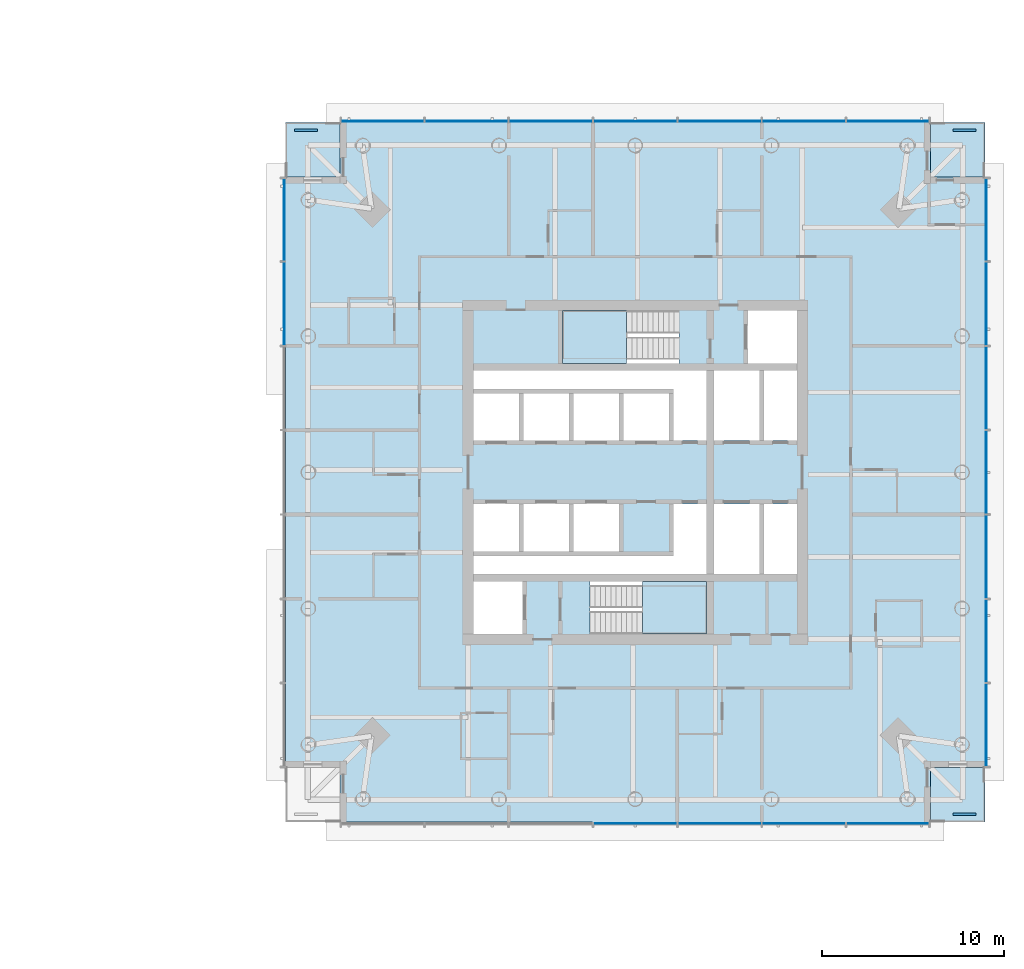
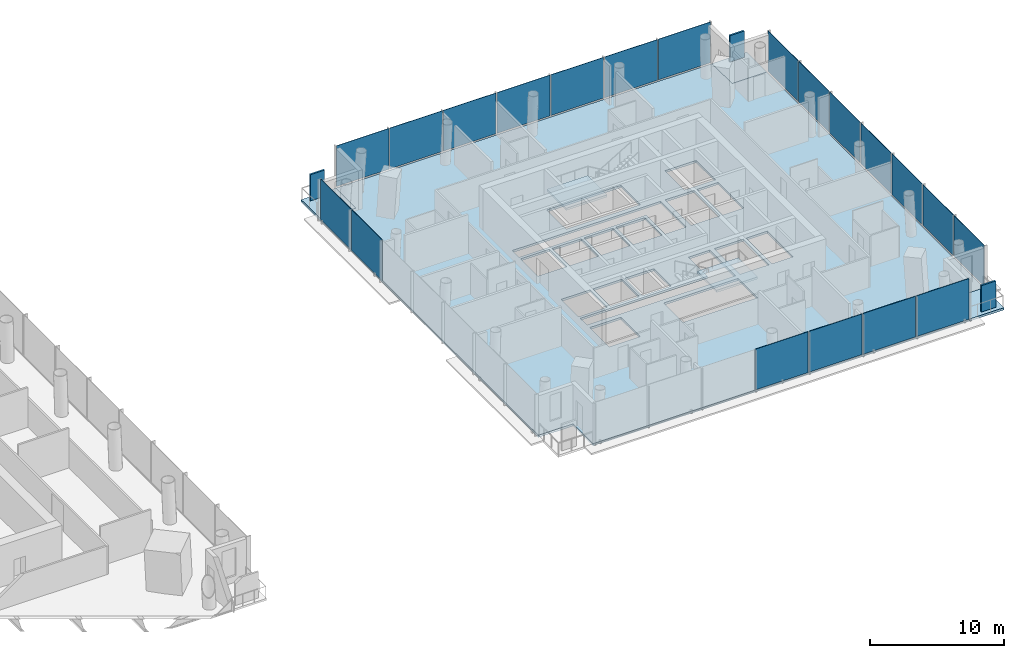
# One storey, part 8 of 21: 23 plates, 6 slabs, 6 elements without a shape of their own.
"""IFC4 building model written with IfcOpenShell, lengths in metres."""

from ifc_helpers import new_model, si_unit, direction, frame, origin, origin_2d, place, context, subcontext, project, spatial, polyline, rectangle, outline, extrude, material, layer, layer_set, type_object, element, aggregate, save


model = new_model("IFC4")

# Units and contexts
model_context = context("Model", 3, precision=1e-05, world=origin(), true_north=direction((0.0, 1.0)))
body_context = subcontext(model_context, "Body", "Model", "MODEL_VIEW")
ifc_project = project(units=[si_unit("LENGTHUNIT", "METRE"), si_unit("AREAUNIT", "SQUARE_METRE"), si_unit("VOLUMEUNIT", "CUBIC_METRE"), si_unit("PLANEANGLEUNIT", "RADIAN"), si_unit("MASSUNIT", "GRAM", prefix="KILO")], contexts=[model_context])

# Site, building, storey
site_placement = place(None, origin())
site = spatial("IfcSite", under=ifc_project, at=site_placement, CompositionType="ELEMENT")
building_placement = place(site_placement, origin())
building = spatial("IfcBuilding", under=site, at=building_placement, Name="Ostroluk Exchange", CompositionType="ELEMENT")
storey_placement = place(building_placement, frame((0.0, 0.0, 43.800048828125)))
storey = spatial("IfcBuildingStorey", under=building, at=storey_placement, Name="L10", CompositionType="ELEMENT", Elevation=43.800048828125)

# Curtain wall, plates
ifc_material_1 = material(Name="Laminated clear glass", Category="glass")
curtain_wall_type = type_object("IfcCurtainWallType", Name="Hotel guest floor facade", PredefinedType="USERDEFINED", material=ifc_material_1)
curtain_wall_1_placement = place(storey_placement, origin())
curtain_wall_1 = element("IfcCurtainWall", 1, at=curtain_wall_1_placement, inside=storey, type_object=curtain_wall_type, Name="Hotel tower south facade L10", ObjectType="UNITISED CURTAIN WALL", PredefinedType="USERDEFINED")
ifc_material_2 = material(Name="Laminated clear glass", Category="glass")
ifc_layer_1 = layer(ifc_material_2, 0.0400390625)
ifc_layer_set_1 = layer_set([ifc_layer_1], Name="Acoustic laminated glazing 40")
plate_type_1 = type_object("IfcPlateType", Name="Acoustic laminated glazing 40", PredefinedType="CURTAIN_PANEL", material=ifc_layer_set_1)
plate_1_placement = place(storey_placement, frame((117.0, 26.675048828125, 0.080078125), z_axis=(0.0, 0.0, 1.0), x_axis=(1.0, 0.0, 0.0)))
plate_1 = element("IfcPlate", 2, at=plate_1_placement, type_object=plate_type_1, Name="CW-H1 panel 4.1", PredefinedType="CURTAIN_PANEL", context=body_context, shape_type="SweptSolid", body=[
    extrude(rectangle(XDim=4.562744140625, YDim=0.0400390625, at=origin_2d()), origin(), (0.0, 0.0, 1.0), 3.719970703125),
])
plate_2_placement = place(storey_placement, frame((121.642822265625, 26.675048828125, 0.080078125), z_axis=(0.0, 0.0, 1.0), x_axis=(1.0, 0.0, 0.0)))
plate_2 = element("IfcPlate", 3, at=plate_2_placement, type_object=plate_type_1, Name="CW-H1 panel 5.1", PredefinedType="CURTAIN_PANEL", context=body_context, shape_type="SweptSolid", body=[
    extrude(rectangle(XDim=4.562744140625, YDim=0.0400390625, at=origin_2d()), origin(), (0.0, 0.0, 1.0), 3.719970703125),
])
plate_3_placement = place(storey_placement, frame((126.28564453125, 26.675048828125, 0.080078125), z_axis=(0.0, 0.0, 1.0), x_axis=(1.0, 0.0, 0.0)))
plate_3 = element("IfcPlate", 4, at=plate_3_placement, type_object=plate_type_1, Name="CW-H1 panel 6.1", PredefinedType="CURTAIN_PANEL", context=body_context, shape_type="SweptSolid", body=[
    extrude(rectangle(XDim=4.562744140625, YDim=0.0400390625, at=origin_2d()), origin(), (0.0, 0.0, 1.0), 3.719970703125),
])
plate_4_placement = place(storey_placement, frame((130.90869140625, 26.675048828125, 0.080078125), z_axis=(0.0, 0.0, 1.0), x_axis=(1.0, 0.0, 0.0)))
plate_4 = element("IfcPlate", 5, at=plate_4_placement, type_object=plate_type_1, Name="CW-H1 panel 7.1", PredefinedType="CURTAIN_PANEL", context=body_context, shape_type="SweptSolid", body=[
    extrude(rectangle(XDim=4.52294921875, YDim=0.0400390625, at=origin_2d()), origin(), (0.0, 0.0, 1.0), 3.719970703125),
])
aggregate(curtain_wall_1, [plate_1, plate_2, plate_3, plate_4])

curtain_wall_2_placement = place(storey_placement, origin())
curtain_wall_2 = element("IfcCurtainWall", 6, at=curtain_wall_2_placement, inside=storey, type_object=curtain_wall_type, Name="Hotel tower east facade L10", ObjectType="UNITISED CURTAIN WALL", PredefinedType="USERDEFINED")
plate_5_placement = place(storey_placement, frame((136.324951171875, 32.09130859375, 0.080078125), z_axis=(0.0, 0.0, 1.0), x_axis=(0.0, 1.0, 0.0)))
plate_5 = element("IfcPlate", 7, at=plate_5_placement, type_object=plate_type_1, Name="CW-H1 panel 1.1", PredefinedType="CURTAIN_PANEL", context=body_context, shape_type="SweptSolid", body=[
    extrude(rectangle(XDim=4.52294921875, YDim=0.0400390625, at=origin_2d()), origin(), (0.0, 0.0, 1.0), 3.719970703125),
])
plate_6_placement = place(storey_placement, frame((136.324951171875, 36.71435546875, 0.080078125), z_axis=(0.0, 0.0, 1.0), x_axis=(0.0, 1.0, 0.0)))
plate_6 = element("IfcPlate", 8, at=plate_6_placement, type_object=plate_type_1, Name="CW-H1 panel 2.1", PredefinedType="CURTAIN_PANEL", context=body_context, shape_type="SweptSolid", body=[
    extrude(rectangle(XDim=4.562744140625, YDim=0.0400390625, at=origin_2d()), origin(), (0.0, 0.0, 1.0), 3.719970703125),
])
plate_7_placement = place(storey_placement, frame((136.324951171875, 41.357177734375, 0.080078125), z_axis=(0.0, 0.0, 1.0), x_axis=(0.0, 1.0, 0.0)))
plate_7 = element("IfcPlate", 9, at=plate_7_placement, type_object=plate_type_1, Name="CW-H1 panel 3.1", PredefinedType="CURTAIN_PANEL", context=body_context, shape_type="SweptSolid", body=[
    extrude(rectangle(XDim=4.562744140625, YDim=0.0400390625, at=origin_2d()), origin(), (0.0, 0.0, 1.0), 3.719970703125),
])
plate_8_placement = place(storey_placement, frame((136.324951171875, 46.0, 0.080078125), z_axis=(0.0, 0.0, 1.0), x_axis=(0.0, 1.0, 0.0)))
plate_8 = element("IfcPlate", 10, at=plate_8_placement, type_object=plate_type_1, Name="CW-H1 panel 4.1", PredefinedType="CURTAIN_PANEL", context=body_context, shape_type="SweptSolid", body=[
    extrude(rectangle(XDim=4.562744140625, YDim=0.0400390625, at=origin_2d()), origin(), (0.0, 0.0, 1.0), 3.719970703125),
])
plate_9_placement = place(storey_placement, frame((136.324951171875, 50.642822265625, 0.080078125), z_axis=(0.0, 0.0, 1.0), x_axis=(0.0, 1.0, 0.0)))
plate_9 = element("IfcPlate", 11, at=plate_9_placement, type_object=plate_type_1, Name="CW-H1 panel 5.1", PredefinedType="CURTAIN_PANEL", context=body_context, shape_type="SweptSolid", body=[
    extrude(rectangle(XDim=4.562744140625, YDim=0.0400390625, at=origin_2d()), origin(), (0.0, 0.0, 1.0), 3.719970703125),
])
plate_10_placement = place(storey_placement, frame((136.324951171875, 55.28564453125, 0.080078125), z_axis=(0.0, 0.0, 1.0), x_axis=(0.0, 1.0, 0.0)))
plate_10 = element("IfcPlate", 12, at=plate_10_placement, type_object=plate_type_1, Name="CW-H1 panel 6.1", PredefinedType="CURTAIN_PANEL", context=body_context, shape_type="SweptSolid", body=[
    extrude(rectangle(XDim=4.562744140625, YDim=0.0400390625, at=origin_2d()), origin(), (0.0, 0.0, 1.0), 3.719970703125),
])
plate_11_placement = place(storey_placement, frame((136.324951171875, 59.90869140625, 0.080078125), z_axis=(0.0, 0.0, 1.0), x_axis=(0.0, 1.0, 0.0)))
plate_11 = element("IfcPlate", 13, at=plate_11_placement, type_object=plate_type_1, Name="CW-H1 panel 7.1", PredefinedType="CURTAIN_PANEL", context=body_context, shape_type="SweptSolid", body=[
    extrude(rectangle(XDim=4.52294921875, YDim=0.0400390625, at=origin_2d()), origin(), (0.0, 0.0, 1.0), 3.719970703125),
])
aggregate(curtain_wall_2, [plate_5, plate_6, plate_7, plate_8, plate_9, plate_10, plate_11])

curtain_wall_3_placement = place(storey_placement, origin())
curtain_wall_3 = element("IfcCurtainWall", 14, at=curtain_wall_3_placement, inside=storey, type_object=curtain_wall_type, Name="Hotel tower north facade L10", ObjectType="UNITISED CURTAIN WALL", PredefinedType="USERDEFINED")
plate_12_placement = place(storey_placement, frame((130.90869140625, 65.324951171875, 0.080078125), z_axis=(0.0, 0.0, 1.0), x_axis=(-1.0, 0.0, 0.0)))
plate_12 = element("IfcPlate", 15, at=plate_12_placement, type_object=plate_type_1, Name="CW-H1 panel 1.1", PredefinedType="CURTAIN_PANEL", context=body_context, shape_type="SweptSolid", body=[
    extrude(rectangle(XDim=4.52294921875, YDim=0.0400390625, at=origin_2d()), origin(), (0.0, 0.0, 1.0), 3.719970703125),
])
plate_13_placement = place(storey_placement, frame((126.28564453125, 65.324951171875, 0.080078125), z_axis=(0.0, 0.0, 1.0), x_axis=(-1.0, 0.0, 0.0)))
plate_13 = element("IfcPlate", 16, at=plate_13_placement, type_object=plate_type_1, Name="CW-H1 panel 2.1", PredefinedType="CURTAIN_PANEL", context=body_context, shape_type="SweptSolid", body=[
    extrude(rectangle(XDim=4.562744140625, YDim=0.0400390625, at=origin_2d()), origin(), (0.0, 0.0, 1.0), 3.719970703125),
])
plate_14_placement = place(storey_placement, frame((121.642822265625, 65.324951171875, 0.080078125), z_axis=(0.0, 0.0, 1.0), x_axis=(-1.0, 0.0, 0.0)))
plate_14 = element("IfcPlate", 17, at=plate_14_placement, type_object=plate_type_1, Name="CW-H1 panel 3.1", PredefinedType="CURTAIN_PANEL", context=body_context, shape_type="SweptSolid", body=[
    extrude(rectangle(XDim=4.562744140625, YDim=0.0400390625, at=origin_2d()), origin(), (0.0, 0.0, 1.0), 3.719970703125),
])
plate_15_placement = place(storey_placement, frame((117.0, 65.324951171875, 0.080078125), z_axis=(0.0, 0.0, 1.0), x_axis=(-1.0, 0.0, 0.0)))
plate_15 = element("IfcPlate", 18, at=plate_15_placement, type_object=plate_type_1, Name="CW-H1 panel 4.1", PredefinedType="CURTAIN_PANEL", context=body_context, shape_type="SweptSolid", body=[
    extrude(rectangle(XDim=4.562744140625, YDim=0.0400390625, at=origin_2d()), origin(), (0.0, 0.0, 1.0), 3.719970703125),
])
plate_16_placement = place(storey_placement, frame((112.357177734375, 65.324951171875, 0.080078125), z_axis=(0.0, 0.0, 1.0), x_axis=(-1.0, 0.0, 0.0)))
plate_16 = element("IfcPlate", 19, at=plate_16_placement, type_object=plate_type_1, Name="CW-H1 panel 5.1", PredefinedType="CURTAIN_PANEL", context=body_context, shape_type="SweptSolid", body=[
    extrude(rectangle(XDim=4.562744140625, YDim=0.0400390625, at=origin_2d()), origin(), (0.0, 0.0, 1.0), 3.719970703125),
])
plate_17_placement = place(storey_placement, frame((107.71435546875, 65.324951171875, 0.080078125), z_axis=(0.0, 0.0, 1.0), x_axis=(-1.0, 0.0, 0.0)))
plate_17 = element("IfcPlate", 20, at=plate_17_placement, type_object=plate_type_1, Name="CW-H1 panel 6.1", PredefinedType="CURTAIN_PANEL", context=body_context, shape_type="SweptSolid", body=[
    extrude(rectangle(XDim=4.562744140625, YDim=0.0400390625, at=origin_2d()), origin(), (0.0, 0.0, 1.0), 3.719970703125),
])
plate_18_placement = place(storey_placement, frame((103.09130859375, 65.324951171875, 0.080078125), z_axis=(0.0, 0.0, 1.0), x_axis=(-1.0, 0.0, 0.0)))
plate_18 = element("IfcPlate", 21, at=plate_18_placement, type_object=plate_type_1, Name="CW-H1 panel 7.1", PredefinedType="CURTAIN_PANEL", context=body_context, shape_type="SweptSolid", body=[
    extrude(rectangle(XDim=4.52294921875, YDim=0.0400390625, at=origin_2d()), origin(), (0.0, 0.0, 1.0), 3.719970703125),
])
aggregate(curtain_wall_3, [plate_12, plate_13, plate_14, plate_15, plate_16, plate_17, plate_18])

curtain_wall_4_placement = place(storey_placement, origin())
curtain_wall_4 = element("IfcCurtainWall", 22, at=curtain_wall_4_placement, inside=storey, type_object=curtain_wall_type, Name="Hotel tower west facade L10", ObjectType="UNITISED CURTAIN WALL", PredefinedType="USERDEFINED")
plate_19_placement = place(storey_placement, frame((97.675048828125, 59.90869140625, 0.080078125), z_axis=(0.0, 0.0, 1.0), x_axis=(0.0, -1.0, 0.0)))
plate_19 = element("IfcPlate", 23, at=plate_19_placement, type_object=plate_type_1, Name="CW-H1 panel 1.1", PredefinedType="CURTAIN_PANEL", context=body_context, shape_type="SweptSolid", body=[
    extrude(rectangle(XDim=4.52294921875, YDim=0.0400390625, at=origin_2d()), origin(), (0.0, 0.0, 1.0), 3.719970703125),
])
plate_20_placement = place(storey_placement, frame((97.675048828125, 55.28564453125, 0.080078125), z_axis=(0.0, 0.0, 1.0), x_axis=(0.0, -1.0, 0.0)))
plate_20 = element("IfcPlate", 24, at=plate_20_placement, type_object=plate_type_1, Name="CW-H1 panel 2.1", PredefinedType="CURTAIN_PANEL", context=body_context, shape_type="SweptSolid", body=[
    extrude(rectangle(XDim=4.562744140625, YDim=0.0400390625, at=origin_2d()), origin(), (0.0, 0.0, 1.0), 3.719970703125),
])
aggregate(curtain_wall_4, [plate_19, plate_20])

# Slabs
ifc_material_3 = material(Name="Concrete C35/45", Category="concrete")
ifc_layer_2 = layer(ifc_material_3, 0.199951171875)
ifc_layer_set_2 = layer_set([ifc_layer_2], Name="Balcony slab 200")
slab_type_1 = type_object("IfcSlabType", Name="Balcony slab 200", PredefinedType="USERDEFINED", material=ifc_layer_set_2)
slab_1_placement = place(storey_placement, frame((0.0, 0.0, -0.199951171875)))
element("IfcSlab", 25, at=slab_1_placement, inside=storey, type_object=slab_type_1, Name="Hotel tower SE corner balcony L10", ObjectType="BALCONY", PredefinedType="USERDEFINED", context=body_context, shape_type="SweptSolid", body=[
    extrude(outline(polyline([(133.25, 26.75), (136.25, 26.75), (136.25, 29.75), (133.25, 29.75), (133.25, 26.75)])), origin(), (0.0, 0.0, 1.0), 0.199951171875),
])
slab_2_placement = place(storey_placement, frame((0.0, 0.0, -0.199951171875)))
element("IfcSlab", 26, at=slab_2_placement, inside=storey, type_object=slab_type_1, Name="Hotel tower NE corner balcony L10", ObjectType="BALCONY", PredefinedType="USERDEFINED", context=body_context, shape_type="SweptSolid", body=[
    extrude(outline(polyline([(133.25, 62.25), (136.25, 62.25), (136.25, 65.25), (133.25, 65.25), (133.25, 62.25)])), origin(), (0.0, 0.0, 1.0), 0.199951171875),
])
slab_3_placement = place(storey_placement, frame((0.0, 0.0, -0.199951171875)))
element("IfcSlab", 27, at=slab_3_placement, inside=storey, type_object=slab_type_1, Name="Hotel tower NW corner balcony L10", ObjectType="BALCONY", PredefinedType="USERDEFINED", context=body_context, shape_type="SweptSolid", body=[
    extrude(outline(polyline([(97.75, 62.25), (100.75, 62.25), (100.75, 65.25), (97.75, 65.25), (97.75, 62.25)])), origin(), (0.0, 0.0, 1.0), 0.199951171875),
])

# Plates
ifc_material_4 = material(Name="Steel S355 trellis with planting", Category="steel")
ifc_layer_3 = layer(ifc_material_4, 0.14990234375)
ifc_layer_set_3 = layer_set([ifc_layer_3], Name="Planted screen 150")
plate_type_2 = type_object("IfcPlateType", Name="Planted screen 150", PredefinedType="USERDEFINED", material=ifc_layer_set_3)
for number, where, z_axis, x_axis, name in (
    (28, (135.125, 27.175048828125, 0.0), (0.0, 0.0, 1.0), (1.0, 0.0, 0.0), "Hotel tower SE planted screen L10"),
    (29, (135.125, 64.824951171875, 0.0), (0.0, 0.0, 1.0), (1.0, 0.0, 0.0), "Hotel tower NE planted screen L10"),
    (30, (98.875, 64.824951171875, 0.0), (0.0, 0.0, 1.0), (1.0, 0.0, 0.0), "Hotel tower NW planted screen L10"),
):
    element("IfcPlate", number, at=place(storey_placement, frame(where, z_axis=z_axis, x_axis=x_axis)), inside=storey, type_object=plate_type_2, Name=name, ObjectType="PLANTED SCREEN", PredefinedType="USERDEFINED", context=body_context, shape_type="SweptSolid", body=[
        extrude(rectangle(XDim=1.25, YDim=0.14990234375, at=origin_2d()), origin(), (0.0, 0.0, 1.0), 2.39990234375),
    ])

# Stair, slab
ifc_material_5 = material(Name="Concrete C30/37", Category="concrete")
stair_type = type_object("IfcStairType", Name="Exit stair half turn 3800", PredefinedType="HALF_TURN_STAIR", material=ifc_material_5)
stair_1_placement = place(storey_placement, origin())
stair_1 = element("IfcStair", 31, at=stair_1_placement, inside=storey, type_object=stair_type, Name="Stair T2-S1 L10", PredefinedType="HALF_TURN_STAIR")
ifc_material_6 = material(Name="Concrete C30/37", Category="concrete")
ifc_layer_4 = layer(ifc_material_6, 0.199951171875)
ifc_layer_set_4 = layer_set([ifc_layer_4], Name="Stair landing 200")
slab_type_2 = type_object("IfcSlabType", Name="Stair landing 200", PredefinedType="LANDING", material=ifc_layer_set_4)
slab_4_placement = place(storey_placement, frame((0.0, 0.0, 1.699951171875)))
slab_4 = element("IfcSlab", 32, at=slab_4_placement, type_object=slab_type_2, Name="T2-S1 landing 1", PredefinedType="LANDING", context=body_context, shape_type="SweptSolid", body=[
    extrude(outline(polyline([(117.39990234375, 37.10009765625), (117.39990234375, 40.0), (120.929931640625, 40.0), (120.929931640625, 37.10009765625), (117.39990234375, 37.10009765625)])), origin(), (0.0, 0.0, 1.0), 0.199951171875),
])
aggregate(stair_1, [slab_4])

stair_2_placement = place(storey_placement, origin())
stair_2 = element("IfcStair", 33, at=stair_2_placement, inside=storey, type_object=stair_type, Name="Stair T2-S2 L10", PredefinedType="HALF_TURN_STAIR")
slab_5_placement = place(storey_placement, frame((0.0, 0.0, 1.699951171875)))
slab_5 = element("IfcSlab", 34, at=slab_5_placement, type_object=slab_type_2, Name="T2-S2 landing 1", PredefinedType="LANDING", context=body_context, shape_type="SweptSolid", body=[
    extrude(outline(polyline([(116.530029296875, 52.0), (116.530029296875, 54.89990234375), (113.0, 54.89990234375), (113.0, 52.0), (116.530029296875, 52.0)])), origin(), (0.0, 0.0, 1.0), 0.199951171875),
])
aggregate(stair_2, [slab_5])

# Slab
ifc_material_7 = material(Name="Concrete C35/45", Category="concrete")
ifc_layer_5 = layer(ifc_material_7, 0.199951171875)
ifc_layer_set_5 = layer_set([ifc_layer_5], Name="Tower floor slab 200 composite")
slab_type_3 = type_object("IfcSlabType", Name="Tower floor slab 200 composite", PredefinedType="FLOOR", material=ifc_layer_set_5)
slab_6_placement = place(storey_placement, frame((0.0, 0.0, -0.199951171875)))
element("IfcSlab", 35, at=slab_6_placement, inside=storey, type_object=slab_type_3, Name="Hotel tower floor slab L10", PredefinedType="FLOOR", context=body_context, shape_type="SweptSolid", body=[
    extrude(outline(polyline([(100.75, 26.75), (133.25, 26.75), (133.25, 29.75), (136.25, 29.75), (136.25, 62.25), (133.25, 62.25), (133.25, 65.25), (100.75, 65.25), (100.75, 62.25), (97.75, 62.25), (97.75, 29.75), (100.75, 29.75), (100.75, 26.75)]), holes=[polyline([(108.10009765625, 37.10009765625), (110.800048828125, 37.10009765625), (110.800048828125, 40.0), (108.10009765625, 40.0), (108.10009765625, 37.10009765625)]), polyline([(114.510009765625, 37.10009765625), (120.929931640625, 37.10009765625), (120.929931640625, 40.0), (114.510009765625, 40.0), (114.510009765625, 37.10009765625)]), polyline([(113.0, 52.0), (119.419921875, 52.0), (119.419921875, 54.89990234375), (113.0, 54.89990234375), (113.0, 52.0)]), polyline([(123.199951171875, 52.0), (125.89990234375, 52.0), (125.89990234375, 54.89990234375), (123.199951171875, 54.89990234375), (123.199951171875, 52.0)]), polyline([(108.10009765625, 47.75), (110.60009765625, 47.75), (110.60009765625, 50.35009765625), (108.10009765625, 50.35009765625), (108.10009765625, 47.75)]), polyline([(110.85009765625, 47.75), (113.35009765625, 47.75), (113.35009765625, 50.35009765625), (110.85009765625, 50.35009765625), (110.85009765625, 47.75)]), polyline([(113.60009765625, 47.75), (116.10009765625, 47.75), (116.10009765625, 50.35009765625), (113.60009765625, 50.35009765625), (113.60009765625, 47.75)]), polyline([(116.35009765625, 47.75), (118.85009765625, 47.75), (118.85009765625, 50.35009765625), (116.35009765625, 50.35009765625), (116.35009765625, 47.75)]), polyline([(108.10009765625, 41.64990234375), (110.60009765625, 41.64990234375), (110.60009765625, 44.25), (108.10009765625, 44.25), (108.10009765625, 41.64990234375)]), polyline([(110.85009765625, 41.64990234375), (113.35009765625, 41.64990234375), (113.35009765625, 44.25), (110.85009765625, 44.25), (110.85009765625, 41.64990234375)]), polyline([(113.60009765625, 41.64990234375), (116.10009765625, 41.64990234375), (116.10009765625, 44.25), (113.60009765625, 44.25), (113.60009765625, 41.64990234375)]), polyline([(121.330078125, 47.75), (123.830078125, 47.75), (123.830078125, 51.60009765625), (121.330078125, 51.60009765625), (121.330078125, 47.75)]), polyline([(121.330078125, 40.39990234375), (123.830078125, 40.39990234375), (123.830078125, 44.25), (121.330078125, 44.25), (121.330078125, 40.39990234375)]), polyline([(120.929931640625, 51.60009765625), (120.929931640625, 47.75), (119.10009765625, 47.75), (119.10009765625, 50.60009765625), (108.10009765625, 50.60009765625), (108.10009765625, 51.60009765625), (120.929931640625, 51.60009765625)]), polyline([(108.10009765625, 40.39990234375), (108.10009765625, 41.39990234375), (119.10009765625, 41.39990234375), (119.10009765625, 44.25), (120.929931640625, 44.25), (120.929931640625, 40.39990234375), (108.10009765625, 40.39990234375)]), polyline([(124.080078125, 47.75), (125.89990234375, 47.75), (125.89990234375, 51.60009765625), (124.080078125, 51.60009765625), (124.080078125, 47.75)]), polyline([(124.080078125, 40.39990234375), (125.89990234375, 40.39990234375), (125.89990234375, 44.25), (124.080078125, 44.25), (124.080078125, 40.39990234375)])]), origin(), (0.0, 0.0, 1.0), 0.199951171875),
])

save(model, "model.ifc")
